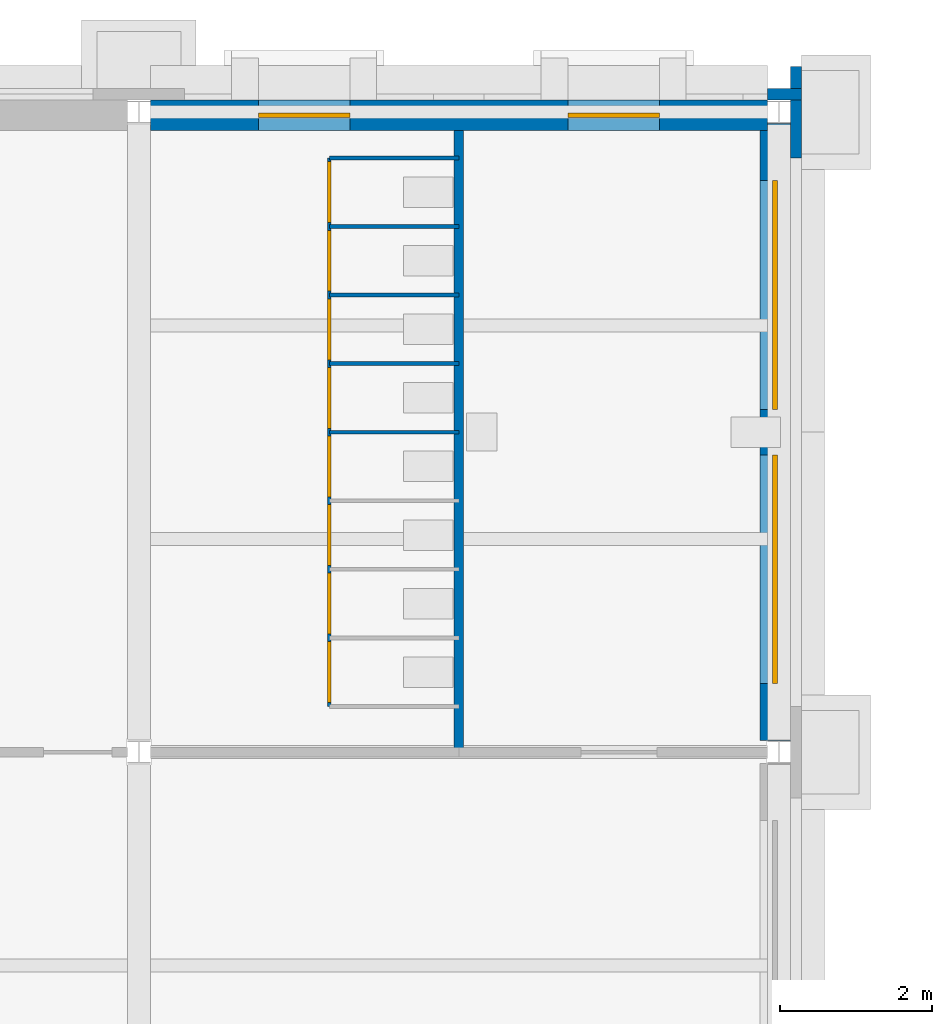
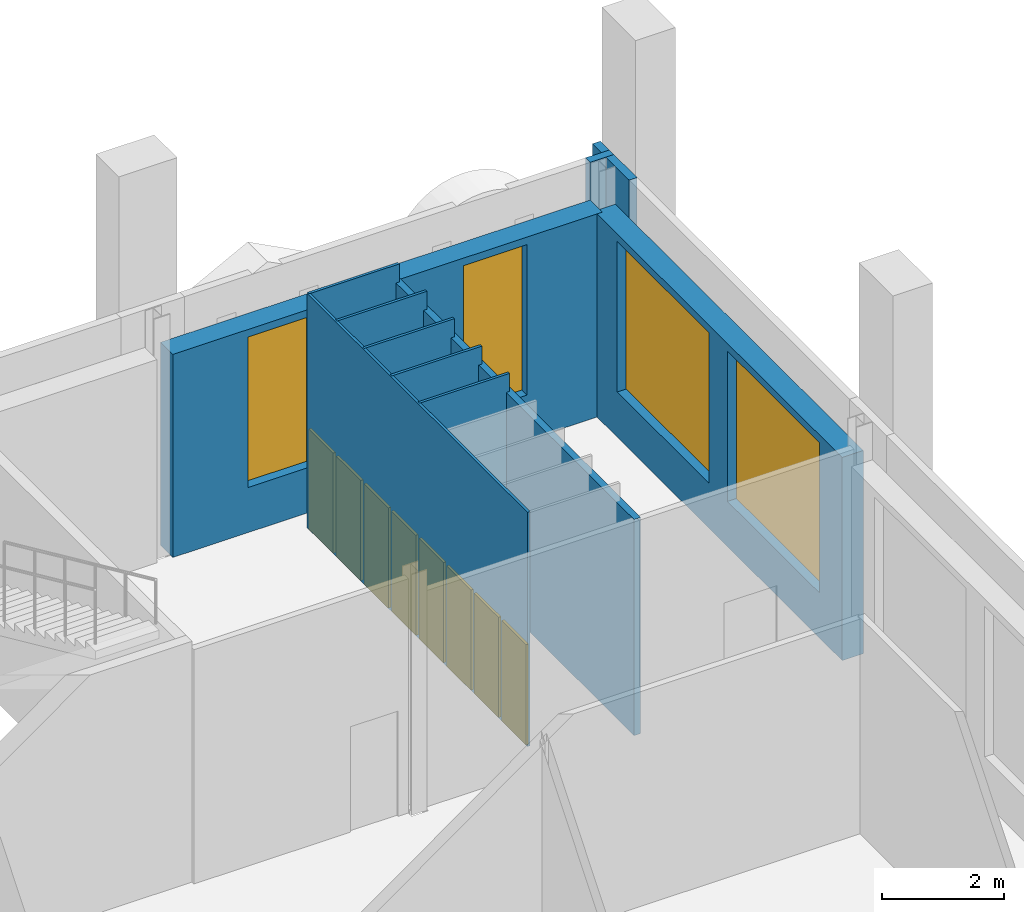
# One storey, part 56 of 76: 11 walls, 8 doors, 4 windows, 12 openings.
"""IFC4 building model written with IfcOpenShell, lengths in metres."""

from ifc_helpers import new_model, si_unit, direction, frame, frame_2d, origin, place, context, subcontext, project, spatial, rectangle, extrude, material, layer, layer_set, type_object, element, fill, save


model = new_model("IFC4")

# Units and contexts
model_context = context("Model", 3, precision=1e-05, world=origin(), true_north=direction((0.0, 1.0)))
body_context = subcontext(model_context, "Body", "Model", "MODEL_VIEW")
ifc_project = project(units=[si_unit("LENGTHUNIT", "METRE"), si_unit("AREAUNIT", "SQUARE_METRE"), si_unit("VOLUMEUNIT", "CUBIC_METRE"), si_unit("PLANEANGLEUNIT", "RADIAN"), si_unit("MASSUNIT", "GRAM", prefix="KILO")], contexts=[model_context])

# Site, building, storey
site_placement = place(None, origin())
site = spatial("IfcSite", under=ifc_project, at=site_placement, CompositionType="ELEMENT")
building_placement = place(site_placement, origin())
building = spatial("IfcBuilding", under=site, at=building_placement, Name="Sava Quay Ferry Terminal", CompositionType="ELEMENT")
storey_placement = place(building_placement, frame((0.0, 0.0, 6.0)))
storey = spatial("IfcBuildingStorey", under=building, at=storey_placement, Name="L01", CompositionType="ELEMENT", Elevation=6.0)

# Wall, openings, doors
ifc_material_1 = material(Name="High-pressure laminate panel")
ifc_layer_1 = layer(ifc_material_1, 0.050048828125)
ifc_layer_set_1 = layer_set([ifc_layer_1], Name="High-pressure laminate panel")
wall_type_1 = type_object("IfcWallType", Name="Cubicle partition 50", PredefinedType="PARTITIONING", material=ifc_layer_set_1)
wall_1_placement = place(storey_placement, frame((103.300048828125, 101.39990234375, 0.0), z_axis=(0.0, 0.0, 1.0), x_axis=(0.0, 1.0, 0.0)))
wall_1 = element("IfcWall", 1, at=wall_1_placement, inside=storey, type_object=wall_type_1, Name="Cubicle partition panel", PredefinedType="PARTITIONING", context=body_context, shape_type="SweptSolid", body=[
    extrude(rectangle(XDim=7.2001953125, YDim=0.050048828125, at=frame_2d((3.60009765625, 0.0))), origin(), (0.0, 0.0, 1.0), 4.669921875),
])
opening_1_placement = place(wall_1_placement, frame((0.050048828125, 0.0, 0.0)))
opening_1 = element("IfcOpeningElement", 2, at=opening_1_placement, cuts=wall_1, Name="Opening CD057", PredefinedType="OPENING", context=body_context, shape_type="SweptSolid", body=[
    extrude(rectangle(XDim=0.800048828125, YDim=2.0, at=frame_2d((0.39990234375, 1.0))), frame((0.0, 0.02490234375, 0.0), z_axis=(0.0, -1.0, 0.0), x_axis=(1.0, 0.0, 0.0)), (0.0, 0.0, 1.0), 0.050048828125),
])
opening_2_placement = place(wall_1_placement, frame((0.949951171875, 0.0, 0.0)))
opening_2 = element("IfcOpeningElement", 3, at=opening_2_placement, cuts=wall_1, Name="Opening CD058", PredefinedType="OPENING", context=body_context, shape_type="SweptSolid", body=[
    extrude(rectangle(XDim=0.800048828125, YDim=2.0, at=frame_2d((0.39990234375, 1.0))), frame((0.0, 0.02490234375, 0.0), z_axis=(0.0, -1.0, 0.0), x_axis=(1.0, 0.0, 0.0)), (0.0, 0.0, 1.0), 0.050048828125),
])
opening_3_placement = place(wall_1_placement, frame((1.85009765625, 0.0, 0.0)))
opening_3 = element("IfcOpeningElement", 4, at=opening_3_placement, cuts=wall_1, Name="Opening CD059", PredefinedType="OPENING", context=body_context, shape_type="SweptSolid", body=[
    extrude(rectangle(XDim=0.800048828125, YDim=2.0, at=frame_2d((0.39990234375, 1.0))), frame((0.0, 0.02490234375, 0.0), z_axis=(0.0, -1.0, 0.0), x_axis=(1.0, 0.0, 0.0)), (0.0, 0.0, 1.0), 0.050048828125),
])
opening_4_placement = place(wall_1_placement, frame((2.75, 0.0, 0.0)))
opening_4 = element("IfcOpeningElement", 5, at=opening_4_placement, cuts=wall_1, Name="Opening CD060", PredefinedType="OPENING", context=body_context, shape_type="SweptSolid", body=[
    extrude(rectangle(XDim=0.800048828125, YDim=2.0, at=frame_2d((0.39990234375, 1.0))), frame((0.0, 0.02490234375, 0.0), z_axis=(0.0, -1.0, 0.0), x_axis=(1.0, 0.0, 0.0)), (0.0, 0.0, 1.0), 0.050048828125),
])
opening_5_placement = place(wall_1_placement, frame((3.64990234375, 0.0, 0.0)))
opening_5 = element("IfcOpeningElement", 6, at=opening_5_placement, cuts=wall_1, Name="Opening CD061", PredefinedType="OPENING", context=body_context, shape_type="SweptSolid", body=[
    extrude(rectangle(XDim=0.800048828125, YDim=2.0, at=frame_2d((0.39990234375, 1.0))), frame((0.0, 0.02490234375, 0.0), z_axis=(0.0, -1.0, 0.0), x_axis=(1.0, 0.0, 0.0)), (0.0, 0.0, 1.0), 0.050048828125),
])
opening_6_placement = place(wall_1_placement, frame((4.550048828125, 0.0, 0.0)))
opening_6 = element("IfcOpeningElement", 7, at=opening_6_placement, cuts=wall_1, Name="Opening CD062", PredefinedType="OPENING", context=body_context, shape_type="SweptSolid", body=[
    extrude(rectangle(XDim=0.800048828125, YDim=2.0, at=frame_2d((0.39990234375, 1.0))), frame((0.0, 0.02490234375, 0.0), z_axis=(0.0, -1.0, 0.0), x_axis=(1.0, 0.0, 0.0)), (0.0, 0.0, 1.0), 0.050048828125),
])
opening_7_placement = place(wall_1_placement, frame((5.449951171875, 0.0, 0.0)))
opening_7 = element("IfcOpeningElement", 8, at=opening_7_placement, cuts=wall_1, Name="Opening CD063", PredefinedType="OPENING", context=body_context, shape_type="SweptSolid", body=[
    extrude(rectangle(XDim=0.800048828125, YDim=2.0, at=frame_2d((0.39990234375, 1.0))), frame((0.0, 0.02490234375, 0.0), z_axis=(0.0, -1.0, 0.0), x_axis=(1.0, 0.0, 0.0)), (0.0, 0.0, 1.0), 0.050048828125),
])
opening_8_placement = place(wall_1_placement, frame((6.35009765625, 0.0, 0.0)))
opening_8 = element("IfcOpeningElement", 9, at=opening_8_placement, cuts=wall_1, Name="Opening CD064", PredefinedType="OPENING", context=body_context, shape_type="SweptSolid", body=[
    extrude(rectangle(XDim=0.800048828125, YDim=2.0, at=frame_2d((0.39990234375, 1.0))), frame((0.0, 0.02490234375, 0.0), z_axis=(0.0, -1.0, 0.0), x_axis=(1.0, 0.0, 0.0)), (0.0, 0.0, 1.0), 0.050048828125),
])
ifc_material_2 = material(Name="Laminate door set")
door_type = type_object("IfcDoorType", Name="Cubicle door 800 x 2000", OperationType="NOTDEFINED", PredefinedType="DOOR", material=ifc_material_2)
door_1_placement = place(opening_1_placement, origin())
door_1 = element("IfcDoor", 10, at=door_1_placement, inside=storey, type_object=door_type, Name="Cubicle door", OperationType="SINGLE_SWING_RIGHT", OverallHeight=2.0, OverallWidth=0.800048828125, PredefinedType="DOOR", context=body_context, shape_type="SweptSolid", body=[
    extrude(rectangle(XDim=0.800048828125, YDim=2.0, at=frame_2d((0.39990234375, 1.0))), frame((0.0, 0.02490234375, 0.0), z_axis=(0.0, -1.0, 0.0), x_axis=(1.0, 0.0, 0.0)), (0.0, 0.0, 1.0), 0.049560546875),
])
fill(opening_1, door_1)
door_2_placement = place(opening_2_placement, origin())
door_2 = element("IfcDoor", 11, at=door_2_placement, inside=storey, type_object=door_type, Name="Cubicle door", OperationType="SINGLE_SWING_LEFT", OverallHeight=2.0, OverallWidth=0.800048828125, PredefinedType="DOOR", context=body_context, shape_type="SweptSolid", body=[
    extrude(rectangle(XDim=0.800048828125, YDim=2.0, at=frame_2d((0.39990234375, 1.0))), frame((0.0, 0.02490234375, 0.0), z_axis=(0.0, -1.0, 0.0), x_axis=(1.0, 0.0, 0.0)), (0.0, 0.0, 1.0), 0.049560546875),
])
fill(opening_2, door_2)
door_3_placement = place(opening_3_placement, origin())
door_3 = element("IfcDoor", 12, at=door_3_placement, inside=storey, type_object=door_type, Name="Cubicle door", OperationType="SINGLE_SWING_RIGHT", OverallHeight=2.0, OverallWidth=0.800048828125, PredefinedType="DOOR", context=body_context, shape_type="SweptSolid", body=[
    extrude(rectangle(XDim=0.800048828125, YDim=2.0, at=frame_2d((0.39990234375, 1.0))), frame((0.0, 0.02490234375, 0.0), z_axis=(0.0, -1.0, 0.0), x_axis=(1.0, 0.0, 0.0)), (0.0, 0.0, 1.0), 0.049560546875),
])
fill(opening_3, door_3)
door_4_placement = place(opening_4_placement, origin())
door_4 = element("IfcDoor", 13, at=door_4_placement, inside=storey, type_object=door_type, Name="Cubicle door", OperationType="SINGLE_SWING_LEFT", OverallHeight=2.0, OverallWidth=0.800048828125, PredefinedType="DOOR", context=body_context, shape_type="SweptSolid", body=[
    extrude(rectangle(XDim=0.800048828125, YDim=2.0, at=frame_2d((0.39990234375, 1.0))), frame((0.0, 0.02490234375, 0.0), z_axis=(0.0, -1.0, 0.0), x_axis=(1.0, 0.0, 0.0)), (0.0, 0.0, 1.0), 0.049560546875),
])
fill(opening_4, door_4)
door_5_placement = place(opening_5_placement, origin())
door_5 = element("IfcDoor", 14, at=door_5_placement, inside=storey, type_object=door_type, Name="Cubicle door", OperationType="SINGLE_SWING_RIGHT", OverallHeight=2.0, OverallWidth=0.800048828125, PredefinedType="DOOR", context=body_context, shape_type="SweptSolid", body=[
    extrude(rectangle(XDim=0.800048828125, YDim=2.0, at=frame_2d((0.39990234375, 1.0))), frame((0.0, 0.02490234375, 0.0), z_axis=(0.0, -1.0, 0.0), x_axis=(1.0, 0.0, 0.0)), (0.0, 0.0, 1.0), 0.049560546875),
])
fill(opening_5, door_5)
door_6_placement = place(opening_6_placement, origin())
door_6 = element("IfcDoor", 15, at=door_6_placement, inside=storey, type_object=door_type, Name="Cubicle door", OperationType="SINGLE_SWING_LEFT", OverallHeight=2.0, OverallWidth=0.800048828125, PredefinedType="DOOR", context=body_context, shape_type="SweptSolid", body=[
    extrude(rectangle(XDim=0.800048828125, YDim=2.0, at=frame_2d((0.39990234375, 1.0))), frame((0.0, 0.02490234375, 0.0), z_axis=(0.0, -1.0, 0.0), x_axis=(1.0, 0.0, 0.0)), (0.0, 0.0, 1.0), 0.049560546875),
])
fill(opening_6, door_6)
door_7_placement = place(opening_7_placement, origin())
door_7 = element("IfcDoor", 16, at=door_7_placement, inside=storey, type_object=door_type, Name="Cubicle door", OperationType="SINGLE_SWING_RIGHT", OverallHeight=2.0, OverallWidth=0.800048828125, PredefinedType="DOOR", context=body_context, shape_type="SweptSolid", body=[
    extrude(rectangle(XDim=0.800048828125, YDim=2.0, at=frame_2d((0.39990234375, 1.0))), frame((0.0, 0.02490234375, 0.0), z_axis=(0.0, -1.0, 0.0), x_axis=(1.0, 0.0, 0.0)), (0.0, 0.0, 1.0), 0.049560546875),
])
fill(opening_7, door_7)
door_8_placement = place(opening_8_placement, origin())
door_8 = element("IfcDoor", 17, at=door_8_placement, inside=storey, type_object=door_type, Name="Cubicle door", OperationType="SINGLE_SWING_LEFT", OverallHeight=2.0, OverallWidth=0.800048828125, PredefinedType="DOOR", context=body_context, shape_type="SweptSolid", body=[
    extrude(rectangle(XDim=0.800048828125, YDim=2.0, at=frame_2d((0.39990234375, 1.0))), frame((0.0, 0.02490234375, 0.0), z_axis=(0.0, -1.0, 0.0), x_axis=(1.0, 0.0, 0.0)), (0.0, 0.0, 1.0), 0.049560546875),
])
fill(opening_8, door_8)

# Walls
for number, where, z_axis, x_axis, name in (
    (18, (105.0, 105.0, 0.0), (0.0, 0.0, 1.0), (-1.0, 0.0, 0.0), "Cubicle partition panel"),
    (19, (105.0, 105.89990234375, 0.0), (0.0, 0.0, 1.0), (-1.0, 0.0, 0.0), "Cubicle partition panel"),
    (20, (105.0, 106.800048828125, 0.0), (0.0, 0.0, 1.0), (-1.0, 0.0, 0.0), "Cubicle partition panel"),
    (21, (105.0, 107.699951171875, 0.0), (0.0, 0.0, 1.0), (-1.0, 0.0, 0.0), "Cubicle partition panel"),
    (22, (105.0, 108.60009765625, 0.0), (0.0, 0.0, 1.0), (-1.0, 0.0, 0.0), "Cubicle partition panel"),
):
    element("IfcWall", number, at=place(storey_placement, frame(where, z_axis=z_axis, x_axis=x_axis)), inside=storey, type_object=wall_type_1, Name=name, PredefinedType="PARTITIONING", context=body_context, shape_type="SweptSolid", body=[
        extrude(rectangle(XDim=1.699951171875, YDim=0.050048828125, at=frame_2d((0.85009765625, 0.0))), origin(), (0.0, 0.0, 1.0), 4.669921875),
    ])
ifc_material_3 = material(Name="Limestone Mutalj", Category="masonry")
ifc_layer_2 = layer(ifc_material_3, 0.14990234375)
ifc_layer_set_2 = layer_set([ifc_layer_2], Name="Limestone Mutalj")
wall_type_2 = type_object("IfcWallType", Name="Pier cladding 150", PredefinedType="SOLIDWALL", material=ifc_layer_set_2)
wall_2_placement = place(storey_placement, frame((109.050048828125, 109.43505859375, 0.0), z_axis=(0.0, 0.0, 1.0), x_axis=(1.0, 0.0, 0.0)))
element("IfcWall", 23, at=wall_2_placement, inside=storey, type_object=wall_type_2, Name="Pier O-N grid 109.2", PredefinedType="SOLIDWALL", context=body_context, shape_type="SweptSolid", body=[
    extrude(rectangle(XDim=0.449951171875, YDim=0.14990234375, at=frame_2d((0.22509765625, 0.0))), origin(), (0.0, 0.0, 1.0), 4.800048828125),
])
wall_3_placement = place(storey_placement, frame((109.425048828125, 108.60009765625, 0.0), z_axis=(0.0, 0.0, 1.0), x_axis=(0.0, 1.0, 0.0)))
element("IfcWall", 24, at=wall_3_placement, inside=storey, type_object=wall_type_2, Name="Pier O-E grid 109.2", PredefinedType="SOLIDWALL", context=body_context, shape_type="SweptSolid", body=[
    extrude(rectangle(XDim=1.199951171875, YDim=0.14990234375, at=frame_2d((0.60009765625, 0.0))), origin(), (0.0, 0.0, 1.0), 4.800048828125),
])

# Wall, openings, windows
ifc_material_4 = material(Name="Sandstone Bela Voda", Category="masonry")
ifc_layer_3 = layer(ifc_material_4, 0.39990234375)
ifc_layer_set_3 = layer_set([ifc_layer_3], Name="Sandstone Bela Voda")
wall_type_3 = type_object("IfcWallType", Name="Sandstone ashlar infill 400", PredefinedType="SOLIDWALL", material=ifc_layer_set_3)
wall_4_placement = place(storey_placement, frame((100.949951171875, 109.159912109375, 0.0), z_axis=(0.0, 0.0, 1.0), x_axis=(1.0, 0.0, 0.0)))
wall_4 = element("IfcWall", 25, at=wall_4_placement, inside=storey, type_object=wall_type_3, Name="External wall O-N", PredefinedType="SOLIDWALL", context=body_context, shape_type="SweptSolid", body=[
    extrude(rectangle(XDim=8.10009765625, YDim=0.39990234375, at=frame_2d((4.050048828125, 0.0))), origin(), (0.0, 0.0, 1.0), 4.050048828125),
])
opening_9_placement = place(wall_4_placement, frame((1.418701171875, 0.0, 0.89990234375)))
opening_9 = element("IfcOpeningElement", 26, at=opening_9_placement, cuts=wall_4, Name="Opening W-E1", PredefinedType="OPENING", context=body_context, shape_type="SweptSolid", body=[
    extrude(rectangle(XDim=1.199951171875, YDim=3.0, at=frame_2d((0.60009765625, 1.5))), frame((0.0, 0.199951171875, 0.0), z_axis=(0.0, -1.0, 0.0), x_axis=(1.0, 0.0, 0.0)), (0.0, 0.0, 1.0), 0.39990234375),
])
opening_10_placement = place(wall_4_placement, frame((5.481201171875, 0.0, 0.89990234375)))
opening_10 = element("IfcOpeningElement", 27, at=opening_10_placement, cuts=wall_4, Name="Opening W-E1", PredefinedType="OPENING", context=body_context, shape_type="SweptSolid", body=[
    extrude(rectangle(XDim=1.199951171875, YDim=3.0, at=frame_2d((0.60009765625, 1.5))), frame((0.0, 0.199951171875, 0.0), z_axis=(0.0, -1.0, 0.0), x_axis=(1.0, 0.0, 0.0)), (0.0, 0.0, 1.0), 0.39990234375),
])
ifc_material_5 = material(Name="Aluminium bronze anodised frame, glazing double low-e Ug 1.1", Category="aluminium")
window_type_1 = type_object("IfcWindowType", Name="Entrance sidelight 1200x3000", PartitioningType="SINGLE_PANEL", PredefinedType="WINDOW", material=ifc_material_5)
window_1_placement = place(opening_9_placement, origin())
window_1 = element("IfcWindow", 28, at=window_1_placement, inside=storey, type_object=window_type_1, Name="Window W-E1", OverallHeight=3.0, OverallWidth=1.199951171875, PartitioningType="SINGLE_PANEL", PredefinedType="WINDOW", context=body_context, shape_type="SweptSolid", body=[
    extrude(rectangle(XDim=1.199951171875, YDim=3.0, at=frame_2d((0.60009765625, 1.5))), frame((0.0, 0.030029296875, 0.0), z_axis=(0.0, -1.0, 0.0), x_axis=(1.0, 0.0, 0.0)), (0.0, 0.0, 1.0), 0.06005859375),
])
fill(opening_9, window_1)
window_2_placement = place(opening_10_placement, origin())
window_2 = element("IfcWindow", 29, at=window_2_placement, inside=storey, type_object=window_type_1, Name="Window W-E1", OverallHeight=3.0, OverallWidth=1.199951171875, PartitioningType="SINGLE_PANEL", PredefinedType="WINDOW", context=body_context, shape_type="SweptSolid", body=[
    extrude(rectangle(XDim=1.199951171875, YDim=3.0, at=frame_2d((0.60009765625, 1.5))), frame((0.0, 0.030029296875, 0.0), z_axis=(0.0, -1.0, 0.0), x_axis=(1.0, 0.0, 0.0)), (0.0, 0.0, 1.0), 0.06005859375),
])
fill(opening_10, window_2)

wall_5_placement = place(storey_placement, frame((109.14990234375, 100.949951171875, 0.0), z_axis=(0.0, 0.0, 1.0), x_axis=(0.0, 1.0, 0.0)))
wall_5 = element("IfcWall", 30, at=wall_5_placement, inside=storey, type_object=wall_type_3, Name="External wall O-E", PredefinedType="SOLIDWALL", context=body_context, shape_type="SweptSolid", body=[
    extrude(rectangle(XDim=8.10009765625, YDim=0.39990234375, at=frame_2d((4.050048828125, 0.0))), origin(), (0.0, 0.0, 1.0), 4.050048828125),
])
opening_11_placement = place(wall_5_placement, frame((0.75, 0.0, 0.89990234375)))
opening_11 = element("IfcOpeningElement", 31, at=opening_11_placement, cuts=wall_5, Name="Opening W-B", PredefinedType="OPENING", context=body_context, shape_type="SweptSolid", body=[
    extrude(rectangle(XDim=3.0, YDim=3.0, at=frame_2d((1.5, 1.5))), frame((0.0, 0.199951171875, 0.0), z_axis=(0.0, -1.0, 0.0), x_axis=(1.0, 0.0, 0.0)), (0.0, 0.0, 1.0), 0.39990234375),
])
opening_12_placement = place(wall_5_placement, frame((4.35009765625, 0.0, 0.89990234375)))
opening_12 = element("IfcOpeningElement", 32, at=opening_12_placement, cuts=wall_5, Name="Opening W-B", PredefinedType="OPENING", context=body_context, shape_type="SweptSolid", body=[
    extrude(rectangle(XDim=3.0, YDim=3.0, at=frame_2d((1.5, 1.5))), frame((0.0, 0.199951171875, 0.0), z_axis=(0.0, -1.0, 0.0), x_axis=(1.0, 0.0, 0.0)), (0.0, 0.0, 1.0), 0.39990234375),
])
ifc_material_6 = material(Name="Aluminium bronze anodised frame, glazing double low-e Ug 1.1", Category="aluminium")
window_type_2 = type_object("IfcWindowType", Name="Upper ordered window 3000x3000", PartitioningType="SINGLE_PANEL", PredefinedType="WINDOW", material=ifc_material_6)
window_3_placement = place(opening_11_placement, origin())
window_3 = element("IfcWindow", 33, at=window_3_placement, inside=storey, type_object=window_type_2, Name="Window W-B", OverallHeight=3.0, OverallWidth=3.0, PartitioningType="SINGLE_PANEL", PredefinedType="WINDOW", context=body_context, shape_type="SweptSolid", body=[
    extrude(rectangle(XDim=3.0, YDim=3.0, at=frame_2d((1.5, 1.5))), frame((0.0, 0.030029296875, 0.0), z_axis=(0.0, -1.0, 0.0), x_axis=(1.0, 0.0, 0.0)), (0.0, 0.0, 1.0), 0.06005859375),
])
fill(opening_11, window_3)
window_4_placement = place(opening_12_placement, origin())
window_4 = element("IfcWindow", 34, at=window_4_placement, inside=storey, type_object=window_type_2, Name="Window W-B", OverallHeight=3.0, OverallWidth=3.0, PartitioningType="SINGLE_PANEL", PredefinedType="WINDOW", context=body_context, shape_type="SweptSolid", body=[
    extrude(rectangle(XDim=3.0, YDim=3.0, at=frame_2d((1.5, 1.5))), frame((0.0, 0.030029296875, 0.0), z_axis=(0.0, -1.0, 0.0), x_axis=(1.0, 0.0, 0.0)), (0.0, 0.0, 1.0), 0.06005859375),
])
fill(opening_12, window_4)

# Wall
ifc_material_7 = material(Name="Moisture-resistant board on steel studs", Category="steel")
ifc_layer_4 = layer(ifc_material_7, 0.125)
ifc_layer_set_4 = layer_set([ifc_layer_4], Name="Moisture-resistant board on steel studs")
wall_type_4 = type_object("IfcWallType", Name="Toilet partition, moisture-resistant board 125", PredefinedType="PARTITIONING", material=ifc_layer_set_4)
wall_6_placement = place(storey_placement, frame((105.0, 100.800048828125, 0.0), z_axis=(0.0, 0.0, 1.0), x_axis=(0.0, 1.0, 0.0)))
element("IfcWall", 35, at=wall_6_placement, inside=storey, type_object=wall_type_4, Name="Toilet partition, moisture-resistant board 125", PredefinedType="PARTITIONING", context=body_context, shape_type="SweptSolid", body=[
    extrude(rectangle(XDim=8.159423828125, YDim=0.125, at=frame_2d((4.07958984375, 0.0))), origin(), (0.0, 0.0, 1.0), 4.31005859375),
])

save(model, "model.ifc")
